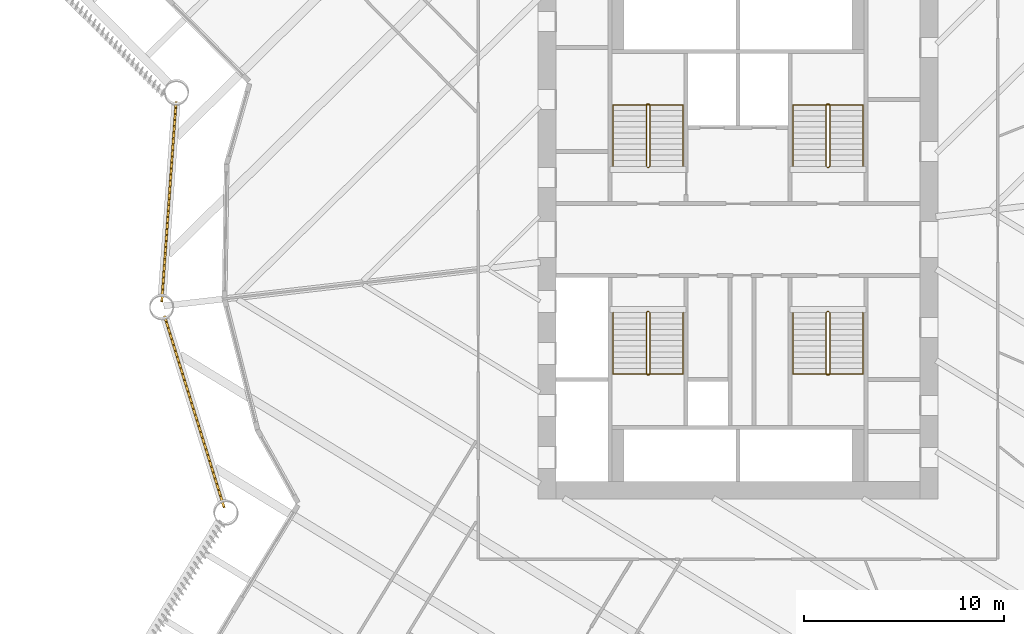
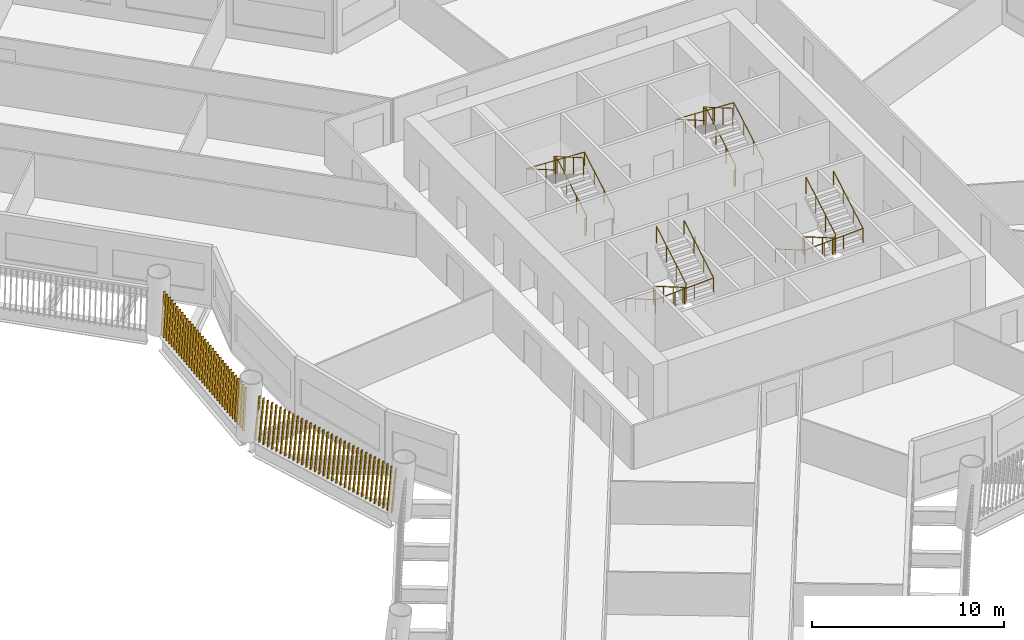
# One storey, part 12 of 15: 8 railings, 2 shading devices.
"""IFC4 building model written with IfcOpenShell, lengths in metres."""

import ifcopenshell
import ifcopenshell.guid

model = None  # the IFC model being written
_history = None  # IfcOwnerHistory: only IFC2X3 demands one
_inside = {}  # id of a spatial element -> (the spatial element, [elements in it])
_under = {}  # id of a project, library or spatial element -> (it, [spatial elements below it])
_declared = {}  # id of a project -> (the project, [libraries it declares])
_typed = {}  # id of a type object -> (the type object, [elements of that type])
_made_of = {}  # id of a material, layer set ... -> (it, [elements and type objects made of it])


def new_model(schema):
    """Start an empty IFC model of exactly this schema.

    Asked for "IFC4X3", IfcOpenShell would pick the latest addendum, in which some entities
    have other attributes; the version numbers below select the first issue.
    IFC2X3 requires an IfcOwnerHistory on every rooted entity: one is made here for all.
    """
    global model, _history
    if schema == "IFC4X3":
        model = ifcopenshell.file(schema_version=(4, 3, 0, 0))
    else:
        model = ifcopenshell.file(schema=schema)
    _inside.clear()
    _under.clear()
    _declared.clear()
    _typed.clear()
    _made_of.clear()
    _history = None
    if model.schema == "IFC2X3":
        org = make("IfcOrganization", Name="unknown")
        user = make(
            "IfcPersonAndOrganization",
            ThePerson=make("IfcPerson", FamilyName="unknown"),
            TheOrganization=org,
        )
        app = make(
            "IfcApplication",
            ApplicationDeveloper=org,
            Version="unknown",
            ApplicationFullName="unknown",
            ApplicationIdentifier="unknown",
        )
        _history = make(
            "IfcOwnerHistory",
            OwningUser=user,
            OwningApplication=app,
            ChangeAction="ADDED",
            CreationDate=0,
        )
    return model


def make(cls, **values):
    """One entity of the class cls with the attributes given. An attribute that is None is left unset."""
    return model.create_entity(
        cls, **{name: value for name, value in values.items() if value is not None}
    )


def rooted(cls, **values):
    """An entity with a GlobalId (a new one), such as an element, a storey or a relation."""
    return make(cls, GlobalId=ifcopenshell.guid.new(), OwnerHistory=_history, **values)


def si_unit(unit_type, name, prefix=None):
    """IfcSIUnit, for example si_unit("LENGTHUNIT", "METRE", prefix="MILLI")."""
    return make("IfcSIUnit", UnitType=unit_type, Prefix=prefix, Name=name)


def assignment(units):
    """IfcUnitAssignment: the units of a project."""
    return None if units is None else make("IfcUnitAssignment", Units=units)


def point(xyz):
    """IfcCartesianPoint."""
    return None if xyz is None else make("IfcCartesianPoint", Coordinates=xyz)


def direction(xyz):
    """IfcDirection."""
    return None if xyz is None else make("IfcDirection", DirectionRatios=xyz)


def frame(location, z_axis=None, x_axis=None):
    """IfcAxis2Placement3D, a coordinate frame: its origin and axes. An axis left out is left unset."""
    return make(
        "IfcAxis2Placement3D",
        Location=point(location),
        Axis=direction(z_axis),
        RefDirection=direction(x_axis),
    )


def frame_2d(location, x_axis=None):
    """IfcAxis2Placement2D, a coordinate frame in the plane: its origin and x axis."""
    return make(
        "IfcAxis2Placement2D", Location=point(location), RefDirection=direction(x_axis)
    )


def origin():
    """The frame at (0, 0, 0) with its axes left unset."""
    return frame((0.0, 0.0, 0.0))


def origin_2d():
    """The frame at (0, 0) in the plane with its x axis left unset."""
    return frame_2d((0.0, 0.0))


def place(relative_to, where):
    """IfcLocalPlacement: puts the frame where relative to a parent placement (None: the world)."""
    return make(
        "IfcLocalPlacement", PlacementRelTo=relative_to, RelativePlacement=where
    )


def context(
    kind, dimensions, precision=None, world=None, true_north=None, identifier=None
):
    """IfcGeometricRepresentationContext, for example the 3D "Model" context."""
    return make(
        "IfcGeometricRepresentationContext",
        ContextIdentifier=identifier,
        ContextType=kind,
        CoordinateSpaceDimension=dimensions,
        Precision=precision,
        WorldCoordinateSystem=world,
        TrueNorth=true_north,
    )


def subcontext(parent, identifier, kind, view, scale=None):
    """IfcGeometricRepresentationSubContext, for example "Body" below "Model"."""
    return make(
        "IfcGeometricRepresentationSubContext",
        ContextIdentifier=identifier,
        ContextType=kind,
        ParentContext=parent,
        TargetScale=scale,
        TargetView=view,
    )


def project(units=None, contexts=None):
    """IfcProject with its units and contexts."""
    return rooted(
        "IfcProject",
        Name="project",
        RepresentationContexts=contexts,
        UnitsInContext=assignment(units),
    )


def spatial(cls, under=None, at=None, **own):
    """A site, building, storey or space (cls), placed at a placement, below another one or the project."""
    s = rooted(cls, ObjectPlacement=at, **own)
    if under is not None:
        _under.setdefault(under.id(), (under, []))[1].append(s)
    return s


def profile(cls, at=None, kind="AREA", **sizes):
    """A parametric profile (cls). Its sizes go by their IFC names, for example OverallWidth=200.0."""
    return make(cls, ProfileType=kind, Position=at, **sizes)


def rectangle(**sizes):
    """IfcRectangleProfileDef."""
    return profile("IfcRectangleProfileDef", **sizes)


def circle(**sizes):
    """IfcCircleProfileDef."""
    return profile("IfcCircleProfileDef", **sizes)


def composite_profile(profiles, kind="AREA"):
    """IfcCompositeProfileDef: several profiles as one."""
    return make("IfcCompositeProfileDef", ProfileType=kind, Profiles=profiles)


def extrude(swept, where, along, depth):
    """IfcExtrudedAreaSolid: the profile swept, set in the frame where, extruded along a direction by depth."""
    return make(
        "IfcExtrudedAreaSolid",
        SweptArea=swept,
        Position=where,
        ExtrudedDirection=direction(along),
        Depth=depth,
    )


def shape(context_of_items, identifier, shape_type, items):
    """IfcShapeRepresentation: the items that make up one representation, for example the "Body"."""
    return make(
        "IfcShapeRepresentation",
        ContextOfItems=context_of_items,
        RepresentationIdentifier=identifier,
        RepresentationType=shape_type,
        Items=items,
    )


def material(Name=None, Category=None):
    """IfcMaterial."""
    return make("IfcMaterial", Name=Name, Category=Category)


def made_of(thing, what):
    """Note that an element or type object is made of a material, layer set ...; save() writes the relation."""
    if what is not None:
        _made_of.setdefault(what.id(), (what, []))[1].append(thing)
    return thing


def type_object(cls, material=None, **own):
    """A type object (cls), such as IfcWallType, which elements share."""
    return made_of(rooted(cls, **own), material)


def element(
    cls,
    number,
    at=None,
    inside=None,
    cuts=None,
    type_object=None,
    material=None,
    context=None,
    identifier="Body",
    shape_type=None,
    held_by="IfcProductDefinitionShape",
    body=None,
    shapes=None,
    **own,
):
    """One element of the class cls, such as IfcWall. Its Tag is "e" and its number.

    at: its placement. inside: the storey or other place that contains it. cuts: it is an
    opening in that element (IfcRelVoidsElement). A single representation is given by context,
    identifier, shape_type and body (its items); several are given by shapes. held_by: the class
    of the entity that holds the representations. save() writes the other relations.
    """
    e = rooted(cls, Tag="e%d" % number, ObjectPlacement=at, **own)
    if body is not None:
        shapes = [shape(context, identifier, shape_type, body)]
    if shapes is not None:
        e.Representation = make(held_by, Representations=shapes)
    if inside is not None:
        _inside.setdefault(inside.id(), (inside, []))[1].append(e)
    if cuts is not None:
        rooted(
            "IfcRelVoidsElement", RelatingBuildingElement=cuts, RelatedOpeningElement=e
        )
    if type_object is not None:
        _typed.setdefault(type_object.id(), (type_object, []))[1].append(e)
    return made_of(e, material)


def aggregate(whole, parts):
    """IfcRelAggregates: a whole, such as a stair, and the parts it consists of."""
    return rooted("IfcRelAggregates", RelatingObject=whole, RelatedObjects=parts)


def save(model, path):
    """Write the relations noted so far, then the file.

    IfcRelAggregates (storeys below a building ...), IfcRelContainedInSpatialStructure (elements
    in a storey), IfcRelDefinesByType, IfcRelAssociatesMaterial and IfcRelDeclares: one each for
    every whole, place, type object, material and project.
    """
    for whole, parts in _under.values():
        aggregate(whole, parts)
    for where, things in _inside.values():
        rooted(
            "IfcRelContainedInSpatialStructure",
            RelatedElements=things,
            RelatingStructure=where,
        )
    for kind, things in _typed.values():
        rooted("IfcRelDefinesByType", RelatedObjects=things, RelatingType=kind)
    for what, things in _made_of.values():
        rooted("IfcRelAssociatesMaterial", RelatedObjects=things, RelatingMaterial=what)
    for by, libraries in _declared.values():
        rooted("IfcRelDeclares", RelatingContext=by, RelatedDefinitions=libraries)
    model.write(path)


model = new_model("IFC4")

# Units and contexts
model_context = context("Model", 3, precision=1e-05, world=origin(), true_north=direction((0.0, 1.0)))
body_context = subcontext(model_context, "Body", "Model", "MODEL_VIEW")
ifc_project = project(units=[si_unit("LENGTHUNIT", "METRE"), si_unit("AREAUNIT", "SQUARE_METRE"), si_unit("VOLUMEUNIT", "CUBIC_METRE"), si_unit("PLANEANGLEUNIT", "RADIAN"), si_unit("MASSUNIT", "GRAM", prefix="KILO")], contexts=[model_context])

# Site, building, storey
site_placement = place(None, origin())
site = spatial("IfcSite", under=ifc_project, at=site_placement, CompositionType="ELEMENT")
building_placement = place(site_placement, origin())
building = spatial("IfcBuilding", under=site, at=building_placement, Name="Tarsis Ring Headquarters", CompositionType="ELEMENT")
storey_placement = place(building_placement, frame((0.0, 0.0, 75.10009765625)))
storey = spatial("IfcBuildingStorey", under=building, at=storey_placement, Name="L16", CompositionType="ELEMENT", Elevation=75.10009765625)

# Railings
ifc_material_1 = material(Name="Steel S355", Category="steel")
railing_type_1 = type_object("IfcRailingType", Name="Core stair guard 1100", PredefinedType="GUARDRAIL", material=ifc_material_1)
railing_1_placement = place(storey_placement, frame((-4.5400390625, 3.610107421875, 0.0)))
element("IfcRailing", 1, at=railing_1_placement, inside=storey, type_object=railing_type_1, Name="L16 ST1 stair guard 1", PredefinedType="GUARDRAIL", context=body_context, shape_type="SweptSolid", body=[
    extrude(circle(Radius=0.02392578125, at=origin_2d()), frame((0.0, 0.0, 1.076171875), z_axis=(1.0, 0.0, 0.0), x_axis=(0.0, 1.0, 0.0)), (0.0, 0.0, 1.0), 0.080078125),
    extrude(circle(Radius=0.02392578125, at=origin_2d()), frame((0.080078125, 0.0, 1.076171875), z_axis=(0.282693820306, 0.281314826061, 0.917031173188), x_axis=(-0.705375805398, 0.708833529934, 0.0)), (0.0, 0.0, 1.0), 0.177001953125),
    extrude(circle(Radius=0.02392578125, at=origin_2d()), frame((0.130126953125, 0.0498046875, 1.23828125), z_axis=(0.0, 0.864890721111, 0.501960198159), x_axis=(-1.0, 0.0, 0.0)), (0.0, 0.0, 1.0), 3.561279296875),
    extrude(circle(Radius=0.02392578125, at=origin_2d()), frame((0.130126953125, 3.1298828125, 3.02587890625), z_axis=(-0.707106781187, 0.707106781187, 0.0), x_axis=(-0.707106781187, -0.707106781187, 0.0)), (0.0, 0.0, 1.0), 0.07080078125),
    extrude(circle(Radius=0.02392578125, at=origin_2d()), frame((0.080078125, 3.179931640625, 3.02587890625), z_axis=(-1.0, 0.0, 0.0), x_axis=(0.0, -1.0, 0.0)), (0.0, 0.0, 1.0), 0.080078125),
    extrude(circle(Radius=0.02392578125, at=origin_2d()), frame((0.0, 3.179931640625, 3.02587890625), z_axis=(-0.282583949758, -0.282583949758, 0.916674763849), x_axis=(0.707106781187, -0.707106781187, 0.0)), (0.0, 0.0, 1.0), 0.177001953125),
    extrude(circle(Radius=0.02392578125, at=origin_2d()), frame((-0.050048828125, 3.1298828125, 3.1884765625), z_axis=(0.0, -0.864890721111, 0.501960198159), x_axis=(1.0, 0.0, 0.0)), (0.0, 0.0, 1.0), 3.561279296875),
    extrude(circle(Radius=0.02099609375, at=origin_2d()), origin(), (0.0, 0.0, 1.0), 1.052001953125),
    extrude(circle(Radius=0.02099609375, at=origin_2d()), frame((0.080078125, 0.0, 0.0)), (0.0, 0.0, 1.0), 1.052001953125),
    extrude(circle(Radius=0.02099609375, at=origin_2d()), frame((0.130126953125, 0.0498046875, 0.162353515625)), (0.0, 0.0, 1.0), 1.052001953125),
    extrude(circle(Radius=0.02099609375, at=origin_2d()), frame((0.130126953125, 1.076416015625, 0.75830078125)), (0.0, 0.0, 1.0), 1.052001953125),
    extrude(circle(Radius=0.02099609375, at=origin_2d()), frame((0.130126953125, 2.103271484375, 1.35400390625)), (0.0, 0.0, 1.0), 1.052001953125),
    extrude(circle(Radius=0.02099609375, at=origin_2d()), frame((0.130126953125, 3.1298828125, 1.949951171875)), (0.0, 0.0, 1.0), 1.052001953125),
    extrude(circle(Radius=0.02099609375, at=origin_2d()), frame((0.080078125, 3.179931640625, 1.949951171875)), (0.0, 0.0, 1.0), 1.052001953125),
    extrude(circle(Radius=0.02099609375, at=origin_2d()), frame((0.0, 3.179931640625, 1.949951171875)), (0.0, 0.0, 1.0), 1.052001953125),
    extrude(circle(Radius=0.02099609375, at=origin_2d()), frame((-0.050048828125, 3.1298828125, 2.1123046875)), (0.0, 0.0, 1.0), 1.052001953125),
    extrude(circle(Radius=0.02099609375, at=origin_2d()), frame((-0.050048828125, 2.103271484375, 2.708251953125)), (0.0, 0.0, 1.0), 1.052001953125),
    extrude(circle(Radius=0.02099609375, at=origin_2d()), frame((-0.050048828125, 1.076416015625, 3.303955078125)), (0.0, 0.0, 1.0), 1.052001953125),
    extrude(circle(Radius=0.02099609375, at=origin_2d()), frame((-0.050048828125, 0.0498046875, 3.89990234375)), (0.0, 0.0, 1.0), 1.052001953125),
])
railing_2_placement = place(storey_placement, frame((4.4599609375, 3.610107421875, 0.0)))
element("IfcRailing", 2, at=railing_2_placement, inside=storey, type_object=railing_type_1, Name="L16 ST2 stair guard 1", PredefinedType="GUARDRAIL", context=body_context, shape_type="SweptSolid", body=[
    extrude(circle(Radius=0.02392578125, at=origin_2d()), frame((0.0, 0.0, 1.076171875), z_axis=(1.0, 0.0, 0.0), x_axis=(0.0, 1.0, 0.0)), (0.0, 0.0, 1.0), 0.080078125),
    extrude(circle(Radius=0.02392578125, at=origin_2d()), frame((0.080078125, 0.0, 1.076171875), z_axis=(0.282693820306, 0.281314826061, 0.917031173188), x_axis=(-0.705375805398, 0.708833529934, 0.0)), (0.0, 0.0, 1.0), 0.177001953125),
    extrude(circle(Radius=0.02392578125, at=origin_2d()), frame((0.130126953125, 0.0498046875, 1.23828125), z_axis=(0.0, 0.864890721111, 0.501960198159), x_axis=(-1.0, 0.0, 0.0)), (0.0, 0.0, 1.0), 3.561279296875),
    extrude(circle(Radius=0.02392578125, at=origin_2d()), frame((0.130126953125, 3.1298828125, 3.02587890625), z_axis=(-0.707106781187, 0.707106781187, 0.0), x_axis=(-0.707106781187, -0.707106781187, 0.0)), (0.0, 0.0, 1.0), 0.07080078125),
    extrude(circle(Radius=0.02392578125, at=origin_2d()), frame((0.080078125, 3.179931640625, 3.02587890625), z_axis=(-1.0, 0.0, 0.0), x_axis=(0.0, -1.0, 0.0)), (0.0, 0.0, 1.0), 0.080078125),
    extrude(circle(Radius=0.02392578125, at=origin_2d()), frame((0.0, 3.179931640625, 3.02587890625), z_axis=(-0.282583949758, -0.282583949758, 0.916674763849), x_axis=(0.707106781187, -0.707106781187, 0.0)), (0.0, 0.0, 1.0), 0.177001953125),
    extrude(circle(Radius=0.02392578125, at=origin_2d()), frame((-0.050048828125, 3.1298828125, 3.1884765625), z_axis=(0.0, -0.864890721111, 0.501960198159), x_axis=(1.0, 0.0, 0.0)), (0.0, 0.0, 1.0), 3.561279296875),
    extrude(circle(Radius=0.02099609375, at=origin_2d()), origin(), (0.0, 0.0, 1.0), 1.052001953125),
    extrude(circle(Radius=0.02099609375, at=origin_2d()), frame((0.080078125, 0.0, 0.0)), (0.0, 0.0, 1.0), 1.052001953125),
    extrude(circle(Radius=0.02099609375, at=origin_2d()), frame((0.130126953125, 0.0498046875, 0.162353515625)), (0.0, 0.0, 1.0), 1.052001953125),
    extrude(circle(Radius=0.02099609375, at=origin_2d()), frame((0.130126953125, 1.076416015625, 0.75830078125)), (0.0, 0.0, 1.0), 1.052001953125),
    extrude(circle(Radius=0.02099609375, at=origin_2d()), frame((0.130126953125, 2.103271484375, 1.35400390625)), (0.0, 0.0, 1.0), 1.052001953125),
    extrude(circle(Radius=0.02099609375, at=origin_2d()), frame((0.130126953125, 3.1298828125, 1.949951171875)), (0.0, 0.0, 1.0), 1.052001953125),
    extrude(circle(Radius=0.02099609375, at=origin_2d()), frame((0.080078125, 3.179931640625, 1.949951171875)), (0.0, 0.0, 1.0), 1.052001953125),
    extrude(circle(Radius=0.02099609375, at=origin_2d()), frame((0.0, 3.179931640625, 1.949951171875)), (0.0, 0.0, 1.0), 1.052001953125),
    extrude(circle(Radius=0.02099609375, at=origin_2d()), frame((-0.050048828125, 3.1298828125, 2.1123046875)), (0.0, 0.0, 1.0), 1.052001953125),
    extrude(circle(Radius=0.02099609375, at=origin_2d()), frame((-0.050048828125, 2.103271484375, 2.708251953125)), (0.0, 0.0, 1.0), 1.052001953125),
    extrude(circle(Radius=0.02099609375, at=origin_2d()), frame((-0.050048828125, 1.076416015625, 3.303955078125)), (0.0, 0.0, 1.0), 1.052001953125),
    extrude(circle(Radius=0.02099609375, at=origin_2d()), frame((-0.050048828125, 0.0498046875, 3.89990234375)), (0.0, 0.0, 1.0), 1.052001953125),
])
railing_3_placement = place(storey_placement, frame((-4.4599609375, -3.610107421875, 0.0)))
element("IfcRailing", 3, at=railing_3_placement, inside=storey, type_object=railing_type_1, Name="L16 ST3 stair guard 1", PredefinedType="GUARDRAIL", context=body_context, shape_type="SweptSolid", body=[
    extrude(circle(Radius=0.02392578125, at=origin_2d()), frame((0.0, 0.0, 1.076171875), z_axis=(-1.0, 0.0, 0.0), x_axis=(0.0, -1.0, 0.0)), (0.0, 0.0, 1.0), 0.080078125),
    extrude(circle(Radius=0.02392578125, at=origin_2d()), frame((-0.080078125, 0.0, 1.076171875), z_axis=(-0.282693820306, -0.281314826061, 0.917031173188), x_axis=(0.705375805398, -0.708833529934, 0.0)), (0.0, 0.0, 1.0), 0.177001953125),
    extrude(circle(Radius=0.02392578125, at=origin_2d()), frame((-0.130126953125, -0.0498046875, 1.23828125), z_axis=(0.0, -0.864890721111, 0.501960198159), x_axis=(1.0, 0.0, 0.0)), (0.0, 0.0, 1.0), 3.561279296875),
    extrude(circle(Radius=0.02392578125, at=origin_2d()), frame((-0.130126953125, -3.1298828125, 3.02587890625), z_axis=(0.707106781187, -0.707106781187, 0.0), x_axis=(0.707106781187, 0.707106781187, 0.0)), (0.0, 0.0, 1.0), 0.07080078125),
    extrude(circle(Radius=0.02392578125, at=origin_2d()), frame((-0.080078125, -3.179931640625, 3.02587890625), z_axis=(1.0, 0.0, 0.0), x_axis=(0.0, 1.0, 0.0)), (0.0, 0.0, 1.0), 0.080078125),
    extrude(circle(Radius=0.02392578125, at=origin_2d()), frame((0.0, -3.179931640625, 3.02587890625), z_axis=(0.282583949758, 0.282583949758, 0.916674763849), x_axis=(-0.707106781187, 0.707106781187, 0.0)), (0.0, 0.0, 1.0), 0.177001953125),
    extrude(circle(Radius=0.02392578125, at=origin_2d()), frame((0.050048828125, -3.1298828125, 3.1884765625), z_axis=(0.0, 0.864890721111, 0.501960198159), x_axis=(-1.0, 0.0, 0.0)), (0.0, 0.0, 1.0), 3.561279296875),
    extrude(circle(Radius=0.02099609375, at=origin_2d()), origin(), (0.0, 0.0, 1.0), 1.052001953125),
    extrude(circle(Radius=0.02099609375, at=origin_2d()), frame((-0.080078125, 0.0, 0.0)), (0.0, 0.0, 1.0), 1.052001953125),
    extrude(circle(Radius=0.02099609375, at=origin_2d()), frame((-0.130126953125, -0.0498046875, 0.162353515625)), (0.0, 0.0, 1.0), 1.052001953125),
    extrude(circle(Radius=0.02099609375, at=origin_2d()), frame((-0.130126953125, -1.076416015625, 0.75830078125)), (0.0, 0.0, 1.0), 1.052001953125),
    extrude(circle(Radius=0.02099609375, at=origin_2d()), frame((-0.130126953125, -2.103271484375, 1.35400390625)), (0.0, 0.0, 1.0), 1.052001953125),
    extrude(circle(Radius=0.02099609375, at=origin_2d()), frame((-0.130126953125, -3.1298828125, 1.949951171875)), (0.0, 0.0, 1.0), 1.052001953125),
    extrude(circle(Radius=0.02099609375, at=origin_2d()), frame((-0.080078125, -3.179931640625, 1.949951171875)), (0.0, 0.0, 1.0), 1.052001953125),
    extrude(circle(Radius=0.02099609375, at=origin_2d()), frame((0.0, -3.179931640625, 1.949951171875)), (0.0, 0.0, 1.0), 1.052001953125),
    extrude(circle(Radius=0.02099609375, at=origin_2d()), frame((0.050048828125, -3.1298828125, 2.1123046875)), (0.0, 0.0, 1.0), 1.052001953125),
    extrude(circle(Radius=0.02099609375, at=origin_2d()), frame((0.050048828125, -2.103271484375, 2.708251953125)), (0.0, 0.0, 1.0), 1.052001953125),
    extrude(circle(Radius=0.02099609375, at=origin_2d()), frame((0.050048828125, -1.076416015625, 3.303955078125)), (0.0, 0.0, 1.0), 1.052001953125),
    extrude(circle(Radius=0.02099609375, at=origin_2d()), frame((0.050048828125, -0.0498046875, 3.89990234375)), (0.0, 0.0, 1.0), 1.052001953125),
])
railing_4_placement = place(storey_placement, frame((4.5400390625, -3.610107421875, 0.0)))
element("IfcRailing", 4, at=railing_4_placement, inside=storey, type_object=railing_type_1, Name="L16 ST4 stair guard 1", PredefinedType="GUARDRAIL", context=body_context, shape_type="SweptSolid", body=[
    extrude(circle(Radius=0.02392578125, at=origin_2d()), frame((0.0, 0.0, 1.076171875), z_axis=(-1.0, 0.0, 0.0), x_axis=(0.0, -1.0, 0.0)), (0.0, 0.0, 1.0), 0.080078125),
    extrude(circle(Radius=0.02392578125, at=origin_2d()), frame((-0.080078125, 0.0, 1.076171875), z_axis=(-0.282693820306, -0.281314826061, 0.917031173188), x_axis=(0.705375805398, -0.708833529934, 0.0)), (0.0, 0.0, 1.0), 0.177001953125),
    extrude(circle(Radius=0.02392578125, at=origin_2d()), frame((-0.130126953125, -0.0498046875, 1.23828125), z_axis=(0.0, -0.864890721111, 0.501960198159), x_axis=(1.0, 0.0, 0.0)), (0.0, 0.0, 1.0), 3.561279296875),
    extrude(circle(Radius=0.02392578125, at=origin_2d()), frame((-0.130126953125, -3.1298828125, 3.02587890625), z_axis=(0.707106781187, -0.707106781187, 0.0), x_axis=(0.707106781187, 0.707106781187, 0.0)), (0.0, 0.0, 1.0), 0.07080078125),
    extrude(circle(Radius=0.02392578125, at=origin_2d()), frame((-0.080078125, -3.179931640625, 3.02587890625), z_axis=(1.0, 0.0, 0.0), x_axis=(0.0, 1.0, 0.0)), (0.0, 0.0, 1.0), 0.080078125),
    extrude(circle(Radius=0.02392578125, at=origin_2d()), frame((0.0, -3.179931640625, 3.02587890625), z_axis=(0.282583949758, 0.282583949758, 0.916674763849), x_axis=(-0.707106781187, 0.707106781187, 0.0)), (0.0, 0.0, 1.0), 0.177001953125),
    extrude(circle(Radius=0.02392578125, at=origin_2d()), frame((0.050048828125, -3.1298828125, 3.1884765625), z_axis=(0.0, 0.864890721111, 0.501960198159), x_axis=(-1.0, 0.0, 0.0)), (0.0, 0.0, 1.0), 3.561279296875),
    extrude(circle(Radius=0.02099609375, at=origin_2d()), origin(), (0.0, 0.0, 1.0), 1.052001953125),
    extrude(circle(Radius=0.02099609375, at=origin_2d()), frame((-0.080078125, 0.0, 0.0)), (0.0, 0.0, 1.0), 1.052001953125),
    extrude(circle(Radius=0.02099609375, at=origin_2d()), frame((-0.130126953125, -0.0498046875, 0.162353515625)), (0.0, 0.0, 1.0), 1.052001953125),
    extrude(circle(Radius=0.02099609375, at=origin_2d()), frame((-0.130126953125, -1.076416015625, 0.75830078125)), (0.0, 0.0, 1.0), 1.052001953125),
    extrude(circle(Radius=0.02099609375, at=origin_2d()), frame((-0.130126953125, -2.103271484375, 1.35400390625)), (0.0, 0.0, 1.0), 1.052001953125),
    extrude(circle(Radius=0.02099609375, at=origin_2d()), frame((-0.130126953125, -3.1298828125, 1.949951171875)), (0.0, 0.0, 1.0), 1.052001953125),
    extrude(circle(Radius=0.02099609375, at=origin_2d()), frame((-0.080078125, -3.179931640625, 1.949951171875)), (0.0, 0.0, 1.0), 1.052001953125),
    extrude(circle(Radius=0.02099609375, at=origin_2d()), frame((0.0, -3.179931640625, 1.949951171875)), (0.0, 0.0, 1.0), 1.052001953125),
    extrude(circle(Radius=0.02099609375, at=origin_2d()), frame((0.050048828125, -3.1298828125, 2.1123046875)), (0.0, 0.0, 1.0), 1.052001953125),
    extrude(circle(Radius=0.02099609375, at=origin_2d()), frame((0.050048828125, -2.103271484375, 2.708251953125)), (0.0, 0.0, 1.0), 1.052001953125),
    extrude(circle(Radius=0.02099609375, at=origin_2d()), frame((0.050048828125, -1.076416015625, 3.303955078125)), (0.0, 0.0, 1.0), 1.052001953125),
    extrude(circle(Radius=0.02099609375, at=origin_2d()), frame((0.050048828125, -0.0498046875, 3.89990234375)), (0.0, 0.0, 1.0), 1.052001953125),
])
railing_type_2 = type_object("IfcRailingType", Name="Core stair handrail 900", PredefinedType="HANDRAIL", material=ifc_material_1)
railing_5_placement = place(storey_placement, frame((-2.75, 3.659912109375, 0.162353515625)))
element("IfcRailing", 5, at=railing_5_placement, inside=storey, type_object=railing_type_2, Name="L16 ST1 stair handrail 1", PredefinedType="HANDRAIL", context=body_context, shape_type="SweptSolid", body=[
    extrude(circle(Radius=0.02392578125, at=origin_2d()), frame((0.0, 0.0, 0.8759765625), z_axis=(0.0, 0.864890721111, 0.501960198159), x_axis=(-1.0, 0.0, 0.0)), (0.0, 0.0, 1.0), 3.561279296875),
    extrude(circle(Radius=0.02392578125, at=origin_2d()), frame((0.0, 3.080078125, 2.66357421875), z_axis=(-0.998925869279, 0.0, 0.04633689335), x_axis=(0.0, -1.0, 0.0)), (0.0, 0.0, 1.0), 3.503662109375),
    extrude(circle(Radius=0.02392578125, at=origin_2d()), frame((-3.5, 3.080078125, 2.82568359375), z_axis=(0.0, -0.864890721111, 0.501960198159), x_axis=(1.0, 0.0, 0.0)), (0.0, 0.0, 1.0), 3.561279296875),
    extrude(circle(Radius=0.02099609375, at=origin_2d()), origin(), (0.0, 0.0, 1.0), 0.851806640625),
    extrude(circle(Radius=0.02099609375, at=origin_2d()), frame((0.0, 1.026611328125, 0.595947265625)), (0.0, 0.0, 1.0), 0.851806640625),
    extrude(circle(Radius=0.02099609375, at=origin_2d()), frame((0.0, 2.053466796875, 1.191650390625)), (0.0, 0.0, 1.0), 0.851806640625),
    extrude(circle(Radius=0.02099609375, at=origin_2d()), frame((0.0, 3.080078125, 1.78759765625)), (0.0, 0.0, 1.0), 0.851806640625),
    extrude(circle(Radius=0.02099609375, at=origin_2d()), frame((-1.166748046875, 3.080078125, 1.841796875)), (0.0, 0.0, 1.0), 0.851806640625),
    extrude(circle(Radius=0.02099609375, at=origin_2d()), frame((-2.333251953125, 3.080078125, 1.895751953125)), (0.0, 0.0, 1.0), 0.851806640625),
    extrude(circle(Radius=0.02099609375, at=origin_2d()), frame((-3.5, 3.080078125, 1.949951171875)), (0.0, 0.0, 1.0), 0.851806640625),
    extrude(circle(Radius=0.02099609375, at=origin_2d()), frame((-3.5, 2.053466796875, 2.5458984375)), (0.0, 0.0, 1.0), 0.851806640625),
    extrude(circle(Radius=0.02099609375, at=origin_2d()), frame((-3.5, 1.026611328125, 3.1416015625)), (0.0, 0.0, 1.0), 0.851806640625),
    extrude(circle(Radius=0.02099609375, at=origin_2d()), frame((-3.5, 0.0, 3.737548828125)), (0.0, 0.0, 1.0), 0.851806640625),
])
railing_6_placement = place(storey_placement, frame((6.25, 3.659912109375, 0.162353515625)))
element("IfcRailing", 6, at=railing_6_placement, inside=storey, type_object=railing_type_2, Name="L16 ST2 stair handrail 1", PredefinedType="HANDRAIL", context=body_context, shape_type="SweptSolid", body=[
    extrude(circle(Radius=0.02392578125, at=origin_2d()), frame((0.0, 0.0, 0.8759765625), z_axis=(0.0, 0.864890721111, 0.501960198159), x_axis=(-1.0, 0.0, 0.0)), (0.0, 0.0, 1.0), 3.561279296875),
    extrude(circle(Radius=0.02392578125, at=origin_2d()), frame((0.0, 3.080078125, 2.66357421875), z_axis=(-0.998925869279, 0.0, 0.04633689335), x_axis=(0.0, -1.0, 0.0)), (0.0, 0.0, 1.0), 3.503662109375),
    extrude(circle(Radius=0.02392578125, at=origin_2d()), frame((-3.5, 3.080078125, 2.82568359375), z_axis=(0.0, -0.864890721111, 0.501960198159), x_axis=(1.0, 0.0, 0.0)), (0.0, 0.0, 1.0), 3.561279296875),
    extrude(circle(Radius=0.02099609375, at=origin_2d()), origin(), (0.0, 0.0, 1.0), 0.851806640625),
    extrude(circle(Radius=0.02099609375, at=origin_2d()), frame((0.0, 1.026611328125, 0.595947265625)), (0.0, 0.0, 1.0), 0.851806640625),
    extrude(circle(Radius=0.02099609375, at=origin_2d()), frame((0.0, 2.053466796875, 1.191650390625)), (0.0, 0.0, 1.0), 0.851806640625),
    extrude(circle(Radius=0.02099609375, at=origin_2d()), frame((0.0, 3.080078125, 1.78759765625)), (0.0, 0.0, 1.0), 0.851806640625),
    extrude(circle(Radius=0.02099609375, at=origin_2d()), frame((-1.166748046875, 3.080078125, 1.841796875)), (0.0, 0.0, 1.0), 0.851806640625),
    extrude(circle(Radius=0.02099609375, at=origin_2d()), frame((-2.333251953125, 3.080078125, 1.895751953125)), (0.0, 0.0, 1.0), 0.851806640625),
    extrude(circle(Radius=0.02099609375, at=origin_2d()), frame((-3.5, 3.080078125, 1.949951171875)), (0.0, 0.0, 1.0), 0.851806640625),
    extrude(circle(Radius=0.02099609375, at=origin_2d()), frame((-3.5, 2.053466796875, 2.5458984375)), (0.0, 0.0, 1.0), 0.851806640625),
    extrude(circle(Radius=0.02099609375, at=origin_2d()), frame((-3.5, 1.026611328125, 3.1416015625)), (0.0, 0.0, 1.0), 0.851806640625),
    extrude(circle(Radius=0.02099609375, at=origin_2d()), frame((-3.5, 0.0, 3.737548828125)), (0.0, 0.0, 1.0), 0.851806640625),
])
railing_7_placement = place(storey_placement, frame((-6.25, -3.659912109375, 0.162353515625)))
element("IfcRailing", 7, at=railing_7_placement, inside=storey, type_object=railing_type_2, Name="L16 ST3 stair handrail 1", PredefinedType="HANDRAIL", context=body_context, shape_type="SweptSolid", body=[
    extrude(circle(Radius=0.02392578125, at=origin_2d()), frame((0.0, 0.0, 0.8759765625), z_axis=(0.0, -0.864890721111, 0.501960198159), x_axis=(1.0, 0.0, 0.0)), (0.0, 0.0, 1.0), 3.561279296875),
    extrude(circle(Radius=0.02392578125, at=origin_2d()), frame((0.0, -3.080078125, 2.66357421875), z_axis=(0.998925869279, 0.0, 0.04633689335), x_axis=(0.0, 1.0, 0.0)), (0.0, 0.0, 1.0), 3.503662109375),
    extrude(circle(Radius=0.02392578125, at=origin_2d()), frame((3.5, -3.080078125, 2.82568359375), z_axis=(0.0, 0.864890721111, 0.501960198159), x_axis=(-1.0, 0.0, 0.0)), (0.0, 0.0, 1.0), 3.561279296875),
    extrude(circle(Radius=0.02099609375, at=origin_2d()), origin(), (0.0, 0.0, 1.0), 0.851806640625),
    extrude(circle(Radius=0.02099609375, at=origin_2d()), frame((0.0, -1.026611328125, 0.595947265625)), (0.0, 0.0, 1.0), 0.851806640625),
    extrude(circle(Radius=0.02099609375, at=origin_2d()), frame((0.0, -2.053466796875, 1.191650390625)), (0.0, 0.0, 1.0), 0.851806640625),
    extrude(circle(Radius=0.02099609375, at=origin_2d()), frame((0.0, -3.080078125, 1.78759765625)), (0.0, 0.0, 1.0), 0.851806640625),
    extrude(circle(Radius=0.02099609375, at=origin_2d()), frame((1.166748046875, -3.080078125, 1.841796875)), (0.0, 0.0, 1.0), 0.851806640625),
    extrude(circle(Radius=0.02099609375, at=origin_2d()), frame((2.333251953125, -3.080078125, 1.895751953125)), (0.0, 0.0, 1.0), 0.851806640625),
    extrude(circle(Radius=0.02099609375, at=origin_2d()), frame((3.5, -3.080078125, 1.949951171875)), (0.0, 0.0, 1.0), 0.851806640625),
    extrude(circle(Radius=0.02099609375, at=origin_2d()), frame((3.5, -2.053466796875, 2.5458984375)), (0.0, 0.0, 1.0), 0.851806640625),
    extrude(circle(Radius=0.02099609375, at=origin_2d()), frame((3.5, -1.026611328125, 3.1416015625)), (0.0, 0.0, 1.0), 0.851806640625),
    extrude(circle(Radius=0.02099609375, at=origin_2d()), frame((3.5, 0.0, 3.737548828125)), (0.0, 0.0, 1.0), 0.851806640625),
])
railing_8_placement = place(storey_placement, frame((2.75, -3.659912109375, 0.162353515625)))
element("IfcRailing", 8, at=railing_8_placement, inside=storey, type_object=railing_type_2, Name="L16 ST4 stair handrail 1", PredefinedType="HANDRAIL", context=body_context, shape_type="SweptSolid", body=[
    extrude(circle(Radius=0.02392578125, at=origin_2d()), frame((0.0, 0.0, 0.8759765625), z_axis=(0.0, -0.864890721111, 0.501960198159), x_axis=(1.0, 0.0, 0.0)), (0.0, 0.0, 1.0), 3.561279296875),
    extrude(circle(Radius=0.02392578125, at=origin_2d()), frame((0.0, -3.080078125, 2.66357421875), z_axis=(0.998925869279, 0.0, 0.04633689335), x_axis=(0.0, 1.0, 0.0)), (0.0, 0.0, 1.0), 3.503662109375),
    extrude(circle(Radius=0.02392578125, at=origin_2d()), frame((3.5, -3.080078125, 2.82568359375), z_axis=(0.0, 0.864890721111, 0.501960198159), x_axis=(-1.0, 0.0, 0.0)), (0.0, 0.0, 1.0), 3.561279296875),
    extrude(circle(Radius=0.02099609375, at=origin_2d()), origin(), (0.0, 0.0, 1.0), 0.851806640625),
    extrude(circle(Radius=0.02099609375, at=origin_2d()), frame((0.0, -1.026611328125, 0.595947265625)), (0.0, 0.0, 1.0), 0.851806640625),
    extrude(circle(Radius=0.02099609375, at=origin_2d()), frame((0.0, -2.053466796875, 1.191650390625)), (0.0, 0.0, 1.0), 0.851806640625),
    extrude(circle(Radius=0.02099609375, at=origin_2d()), frame((0.0, -3.080078125, 1.78759765625)), (0.0, 0.0, 1.0), 0.851806640625),
    extrude(circle(Radius=0.02099609375, at=origin_2d()), frame((1.166748046875, -3.080078125, 1.841796875)), (0.0, 0.0, 1.0), 0.851806640625),
    extrude(circle(Radius=0.02099609375, at=origin_2d()), frame((2.333251953125, -3.080078125, 1.895751953125)), (0.0, 0.0, 1.0), 0.851806640625),
    extrude(circle(Radius=0.02099609375, at=origin_2d()), frame((3.5, -3.080078125, 1.949951171875)), (0.0, 0.0, 1.0), 0.851806640625),
    extrude(circle(Radius=0.02099609375, at=origin_2d()), frame((3.5, -2.053466796875, 2.5458984375)), (0.0, 0.0, 1.0), 0.851806640625),
    extrude(circle(Radius=0.02099609375, at=origin_2d()), frame((3.5, -1.026611328125, 3.1416015625)), (0.0, 0.0, 1.0), 0.851806640625),
    extrude(circle(Radius=0.02099609375, at=origin_2d()), frame((3.5, 0.0, 3.737548828125)), (0.0, 0.0, 1.0), 0.851806640625),
])

# Shading devices
ifc_material_2 = material(Name="Terracotta baguette", Category="masonry")
shading_device_type = type_object("IfcShadingDeviceType", Name="Terracotta baguette screen", PredefinedType="USERDEFINED", material=ifc_material_2)
shading_device_1_placement = place(storey_placement, frame((-28.70751953125, -3.816162109375, 0.0), z_axis=(0.0, 0.0, 1.0), x_axis=(0.297139287945, -0.954828232355, 0.0)))
element("IfcShadingDevice", 9, at=shading_device_1_placement, inside=storey, type_object=shading_device_type, Name="Baguette screen L16-00", ObjectType="Terracotta baguette screen", PredefinedType="USERDEFINED", context=body_context, shape_type="SweptSolid", body=[
    extrude(composite_profile([rectangle(XDim=0.06005859375, YDim=0.1201171875, at=frame_2d((0.030029296875, 0.0))), rectangle(XDim=0.06005859375, YDim=0.1201171875, at=frame_2d((0.33349609375, 0.0))), rectangle(XDim=0.06005859375, YDim=0.1201171875, at=frame_2d((0.636962890625, 0.0))), rectangle(XDim=0.06005859375, YDim=0.1201171875, at=frame_2d((0.9404296875, 0.0))), rectangle(XDim=0.06005859375, YDim=0.1201171875, at=frame_2d((1.243896484375, 0.0))), rectangle(XDim=0.06005859375, YDim=0.1201171875, at=frame_2d((1.54736328125, 0.0))), rectangle(XDim=0.06005859375, YDim=0.1201171875, at=frame_2d((1.85107421875, 0.0))), rectangle(XDim=0.06005859375, YDim=0.1201171875, at=frame_2d((2.154541015625, 0.0))), rectangle(XDim=0.06005859375, YDim=0.1201171875, at=frame_2d((2.4580078125, 0.0))), rectangle(XDim=0.06005859375, YDim=0.1201171875, at=frame_2d((2.761474609375, 0.0))), rectangle(XDim=0.06005859375, YDim=0.1201171875, at=frame_2d((3.06494140625, 0.0))), rectangle(XDim=0.06005859375, YDim=0.1201171875, at=frame_2d((3.368408203125, 0.0))), rectangle(XDim=0.06005859375, YDim=0.1201171875, at=frame_2d((3.671875, 0.0))), rectangle(XDim=0.06005859375, YDim=0.1201171875, at=frame_2d((3.975341796875, 0.0))), rectangle(XDim=0.06005859375, YDim=0.1201171875, at=frame_2d((4.27880859375, 0.0))), rectangle(XDim=0.06005859375, YDim=0.1201171875, at=frame_2d((4.582275390625, 0.0))), rectangle(XDim=0.06005859375, YDim=0.1201171875, at=frame_2d((4.8857421875, 0.0))), rectangle(XDim=0.06005859375, YDim=0.1201171875, at=frame_2d((5.189453125, 0.0))), rectangle(XDim=0.06005859375, YDim=0.1201171875, at=frame_2d((5.492919921875, 0.0))), rectangle(XDim=0.06005859375, YDim=0.1201171875, at=frame_2d((5.79638671875, 0.0))), rectangle(XDim=0.06005859375, YDim=0.1201171875, at=frame_2d((6.099853515625, 0.0))), rectangle(XDim=0.06005859375, YDim=0.1201171875, at=frame_2d((6.4033203125, 0.0))), rectangle(XDim=0.06005859375, YDim=0.1201171875, at=frame_2d((6.706787109375, 0.0))), rectangle(XDim=0.06005859375, YDim=0.1201171875, at=frame_2d((7.01025390625, 0.0))), rectangle(XDim=0.06005859375, YDim=0.1201171875, at=frame_2d((7.313720703125, 0.0))), rectangle(XDim=0.06005859375, YDim=0.1201171875, at=frame_2d((7.6171875, 0.0))), rectangle(XDim=0.06005859375, YDim=0.1201171875, at=frame_2d((7.920654296875, 0.0))), rectangle(XDim=0.06005859375, YDim=0.1201171875, at=frame_2d((8.224365234375, 0.0))), rectangle(XDim=0.06005859375, YDim=0.1201171875, at=frame_2d((8.52783203125, 0.0))), rectangle(XDim=0.06005859375, YDim=0.1201171875, at=frame_2d((8.831298828125, 0.0))), rectangle(XDim=0.06005859375, YDim=0.1201171875, at=frame_2d((9.134765625, 0.0))), rectangle(XDim=0.06005859375, YDim=0.1201171875, at=frame_2d((9.438232421875, 0.0))), rectangle(XDim=0.06005859375, YDim=0.1201171875, at=frame_2d((9.74169921875, 0.0)))]), origin(), (0.100729673623, 0.000525832425, 0.994913692916), 2.967529296875),
])
shading_device_2_placement = place(storey_placement, frame((-28.124267578125, 6.906982421875, 0.0), z_axis=(0.0, 0.0, 1.0), x_axis=(-0.071228701344, -0.997451656423, 0.0)))
element("IfcShadingDevice", 10, at=shading_device_2_placement, inside=storey, type_object=shading_device_type, Name="Baguette screen L16-21", ObjectType="Terracotta baguette screen", PredefinedType="USERDEFINED", context=body_context, shape_type="SweptSolid", body=[
    extrude(composite_profile([rectangle(XDim=0.06005859375, YDim=0.1201171875, at=frame_2d((0.030029296875, 0.0))), rectangle(XDim=0.06005859375, YDim=0.1201171875, at=frame_2d((0.33349609375, 0.0))), rectangle(XDim=0.06005859375, YDim=0.1201171875, at=frame_2d((0.636962890625, 0.0))), rectangle(XDim=0.06005859375, YDim=0.1201171875, at=frame_2d((0.9404296875, 0.0))), rectangle(XDim=0.06005859375, YDim=0.1201171875, at=frame_2d((1.243896484375, 0.0))), rectangle(XDim=0.06005859375, YDim=0.1201171875, at=frame_2d((1.54736328125, 0.0))), rectangle(XDim=0.06005859375, YDim=0.1201171875, at=frame_2d((1.85107421875, 0.0))), rectangle(XDim=0.06005859375, YDim=0.1201171875, at=frame_2d((2.154541015625, 0.0))), rectangle(XDim=0.06005859375, YDim=0.1201171875, at=frame_2d((2.4580078125, 0.0))), rectangle(XDim=0.06005859375, YDim=0.1201171875, at=frame_2d((2.761474609375, 0.0))), rectangle(XDim=0.06005859375, YDim=0.1201171875, at=frame_2d((3.06494140625, 0.0))), rectangle(XDim=0.06005859375, YDim=0.1201171875, at=frame_2d((3.368408203125, 0.0))), rectangle(XDim=0.06005859375, YDim=0.1201171875, at=frame_2d((3.671875, 0.0))), rectangle(XDim=0.06005859375, YDim=0.1201171875, at=frame_2d((3.975341796875, 0.0))), rectangle(XDim=0.06005859375, YDim=0.1201171875, at=frame_2d((4.27880859375, 0.0))), rectangle(XDim=0.06005859375, YDim=0.1201171875, at=frame_2d((4.582275390625, 0.0))), rectangle(XDim=0.06005859375, YDim=0.1201171875, at=frame_2d((4.8857421875, 0.0))), rectangle(XDim=0.06005859375, YDim=0.1201171875, at=frame_2d((5.189453125, 0.0))), rectangle(XDim=0.06005859375, YDim=0.1201171875, at=frame_2d((5.492919921875, 0.0))), rectangle(XDim=0.06005859375, YDim=0.1201171875, at=frame_2d((5.79638671875, 0.0))), rectangle(XDim=0.06005859375, YDim=0.1201171875, at=frame_2d((6.099853515625, 0.0))), rectangle(XDim=0.06005859375, YDim=0.1201171875, at=frame_2d((6.4033203125, 0.0))), rectangle(XDim=0.06005859375, YDim=0.1201171875, at=frame_2d((6.706787109375, 0.0))), rectangle(XDim=0.06005859375, YDim=0.1201171875, at=frame_2d((7.01025390625, 0.0))), rectangle(XDim=0.06005859375, YDim=0.1201171875, at=frame_2d((7.313720703125, 0.0))), rectangle(XDim=0.06005859375, YDim=0.1201171875, at=frame_2d((7.6171875, 0.0))), rectangle(XDim=0.06005859375, YDim=0.1201171875, at=frame_2d((7.920654296875, 0.0))), rectangle(XDim=0.06005859375, YDim=0.1201171875, at=frame_2d((8.224365234375, 0.0))), rectangle(XDim=0.06005859375, YDim=0.1201171875, at=frame_2d((8.52783203125, 0.0))), rectangle(XDim=0.06005859375, YDim=0.1201171875, at=frame_2d((8.831298828125, 0.0))), rectangle(XDim=0.06005859375, YDim=0.1201171875, at=frame_2d((9.134765625, 0.0))), rectangle(XDim=0.06005859375, YDim=0.1201171875, at=frame_2d((9.438232421875, 0.0))), rectangle(XDim=0.06005859375, YDim=0.1201171875, at=frame_2d((9.74169921875, 0.0)))]), origin(), (0.100729502334, 0.000526885778, 0.994913709701), 2.967529296875),
])

save(model, "model.ifc")
